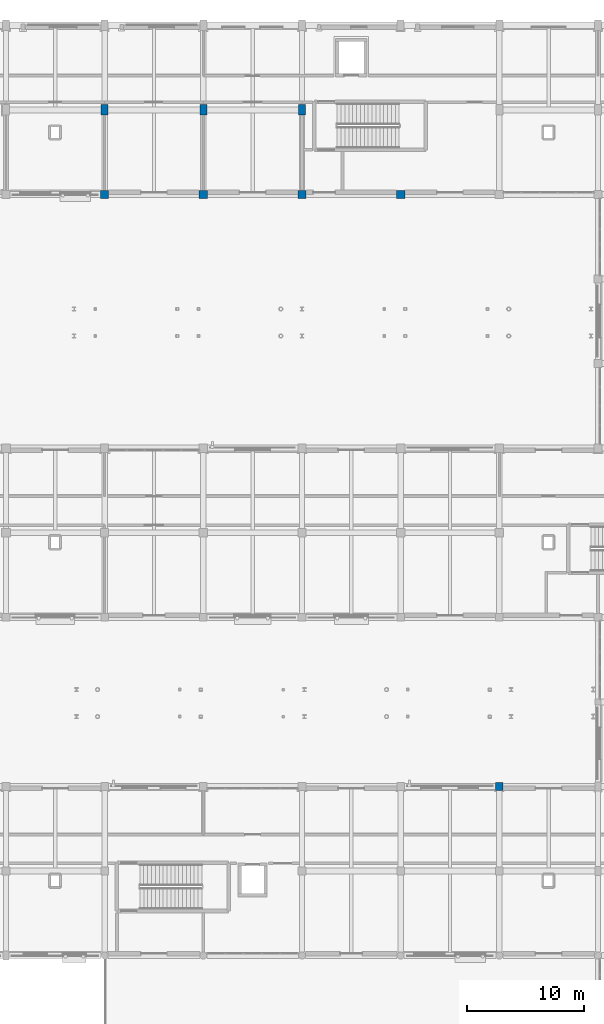
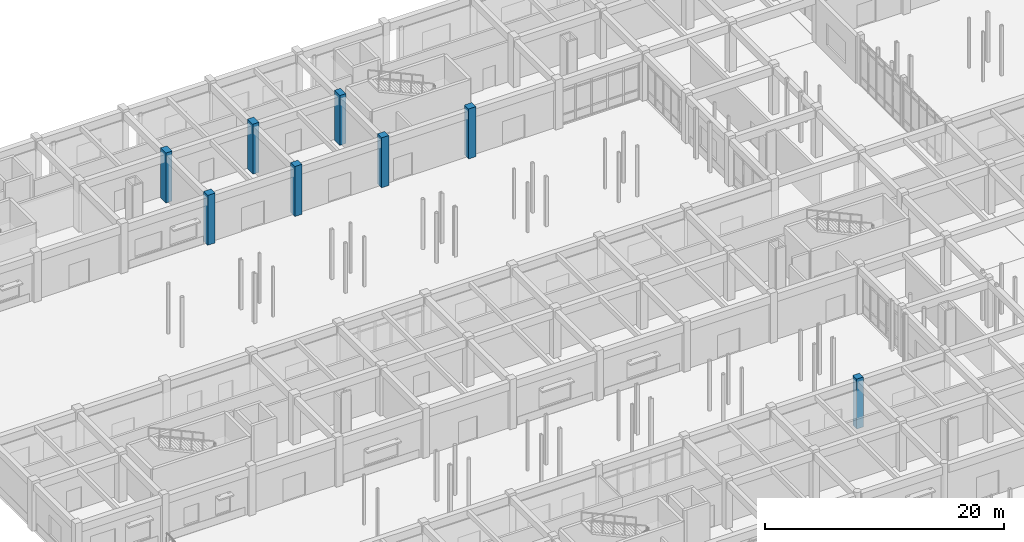
# One storey, part 18 of 121: 8 columns.
"""IFC4 building model written with IfcOpenShell, lengths in metres."""

from ifc_helpers import new_model, si_unit, direction, frame, origin, origin_2d, place, context, subcontext, project, spatial, rectangle, extrude, material, material_profile, profile_set, type_object, element, save


model = new_model("IFC4")

# Units and contexts
model_context = context("Model", 3, precision=1e-05, world=origin(), true_north=direction((0.0, 1.0)))
body_context = subcontext(model_context, "Body", "Model", "MODEL_VIEW")
ifc_project = project(units=[si_unit("LENGTHUNIT", "METRE"), si_unit("AREAUNIT", "SQUARE_METRE"), si_unit("VOLUMEUNIT", "CUBIC_METRE"), si_unit("PLANEANGLEUNIT", "RADIAN"), si_unit("MASSUNIT", "GRAM", prefix="KILO")], contexts=[model_context])

# Site, building, storey
site_placement = place(None, origin())
site = spatial("IfcSite", under=ifc_project, at=site_placement, CompositionType="ELEMENT")
building_placement = place(site_placement, origin())
building = spatial("IfcBuilding", under=site, at=building_placement, Name="Malvenik Polytechnic", CompositionType="ELEMENT")
storey_placement = place(building_placement, origin())
storey = spatial("IfcBuildingStorey", under=building, at=storey_placement, Name="L00", CompositionType="ELEMENT", Elevation=0.0)

# Columns
ifc_material_1 = material(Name="Concrete C40/50", Category="concrete")
ifc_material_profile_1 = material_profile(ifc_material_1, rectangle(XDim=0.699951171875, YDim=0.699951171875, at=origin_2d()), Name="RC COL 700x700")
ifc_profile_set_1 = profile_set([ifc_material_profile_1], Name="Concrete C40/50")
column_type_1 = type_object("IfcColumnType", Name="STR-COL-C-04", PredefinedType="COLUMN", material=ifc_profile_set_1)
for number, where, z_axis, x_axis, name in (
    (1, (33.60009765625, 115.199951171875, 0.0), (0.0, 0.0, 1.0), (1.0, 0.0, 0.0), "Column C-04 L00 (33.6,115.2)"),
    (2, (42.0, 115.199951171875, 0.0), (0.0, 0.0, 1.0), (1.0, 0.0, 0.0), "Column C-04 L00 (42.0,115.2)"),
    (3, (50.39990234375, 115.199951171875, 0.0), (0.0, 0.0, 1.0), (1.0, 0.0, 0.0), "Column C-04 L00 (50.4,115.2)"),
    (4, (58.800048828125, 115.199951171875, 0.0), (0.0, 0.0, 1.0), (1.0, 0.0, 0.0), "Column C-04 L00 (58.8,115.2)"),
):
    element("IfcColumn", number, at=place(storey_placement, frame(where, z_axis=z_axis, x_axis=x_axis)), inside=storey, type_object=column_type_1, Name=name, PredefinedType="COLUMN", context=body_context, shape_type="SweptSolid", body=[
        extrude(rectangle(XDim=0.699951171875, YDim=0.699951171875, at=origin_2d()), origin(), (0.0, 0.0, 1.0), 5.10009765625),
    ])
ifc_material_2 = material(Name="Concrete C35/45", Category="concrete")
ifc_material_profile_2 = material_profile(ifc_material_2, rectangle(XDim=0.64990234375, YDim=0.64990234375, at=origin_2d()), Name="RC COL 650x650")
ifc_profile_set_2 = profile_set([ifc_material_profile_2], Name="Concrete C35/45")
column_type_2 = type_object("IfcColumnType", Name="STR-COL-C-05", PredefinedType="COLUMN", material=ifc_profile_set_2)
column_placement = place(storey_placement, frame((67.199951171875, 64.800048828125, 0.0), z_axis=(0.0, 0.0, 1.0), x_axis=(1.0, 0.0, 0.0)))
element("IfcColumn", 5, at=column_placement, inside=storey, type_object=column_type_2, Name="Column C-05 L00 (67.2,64.8)", PredefinedType="COLUMN", context=body_context, shape_type="SweptSolid", body=[
    extrude(rectangle(XDim=0.64990234375, YDim=0.64990234375, at=origin_2d()), origin(), (0.0, 0.0, 1.0), 5.10009765625),
])
ifc_material_profile_3 = material_profile(ifc_material_1, rectangle(XDim=0.60009765625, YDim=0.89990234375, at=origin_2d()), Name="RC COL 900x600")
ifc_profile_set_3 = profile_set([ifc_material_profile_3], Name="Concrete C40/50")
column_type_3 = type_object("IfcColumnType", Name="STR-COL-C-11", PredefinedType="COLUMN", material=ifc_profile_set_3)
for number, where, z_axis, x_axis, name in (
    (6, (33.60009765625, 122.39990234375, 0.0), (0.0, 0.0, 1.0), (1.0, 0.0, 0.0), "Column C-11 L00 (33.6,122.4)"),
    (7, (42.0, 122.39990234375, 0.0), (0.0, 0.0, 1.0), (1.0, 0.0, 0.0), "Column C-11 L00 (42.0,122.4)"),
    (8, (50.39990234375, 122.39990234375, 0.0), (0.0, 0.0, 1.0), (1.0, 0.0, 0.0), "Column C-11 L00 (50.4,122.4)"),
):
    element("IfcColumn", number, at=place(storey_placement, frame(where, z_axis=z_axis, x_axis=x_axis)), inside=storey, type_object=column_type_3, Name=name, PredefinedType="COLUMN", context=body_context, shape_type="SweptSolid", body=[
        extrude(rectangle(XDim=0.60009765625, YDim=0.89990234375, at=origin_2d()), origin(), (0.0, 0.0, 1.0), 5.10009765625),
    ])

save(model, "model.ifc")
